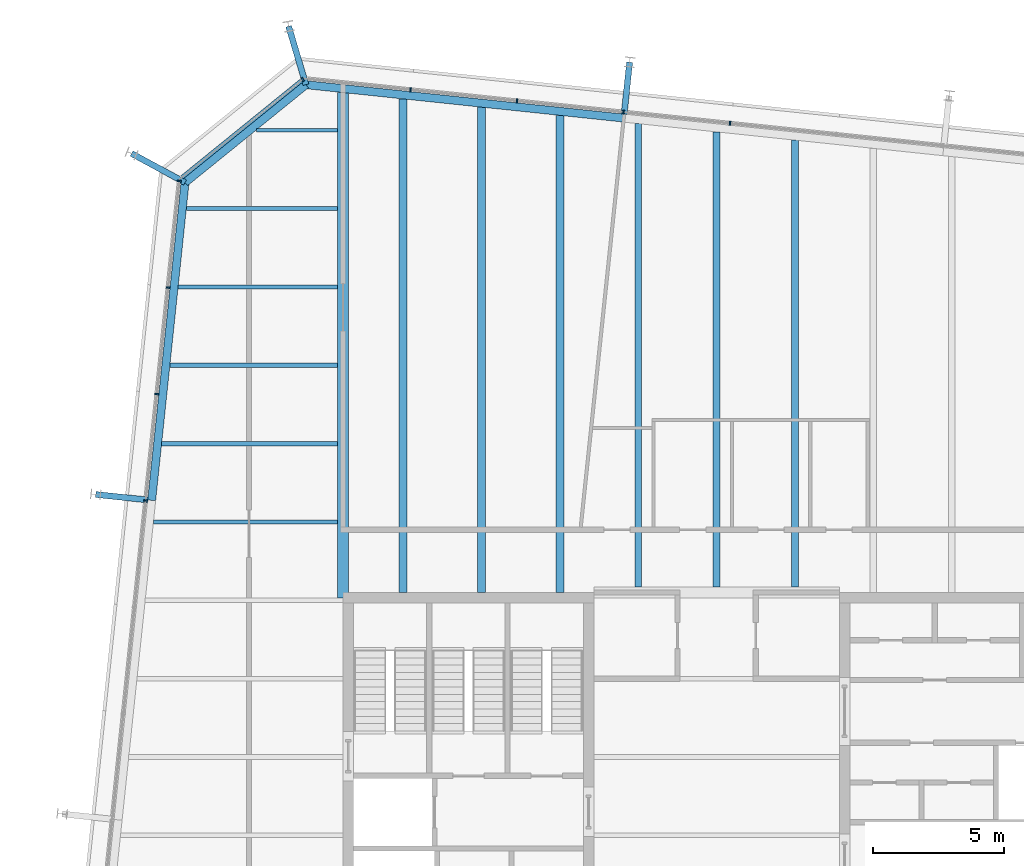
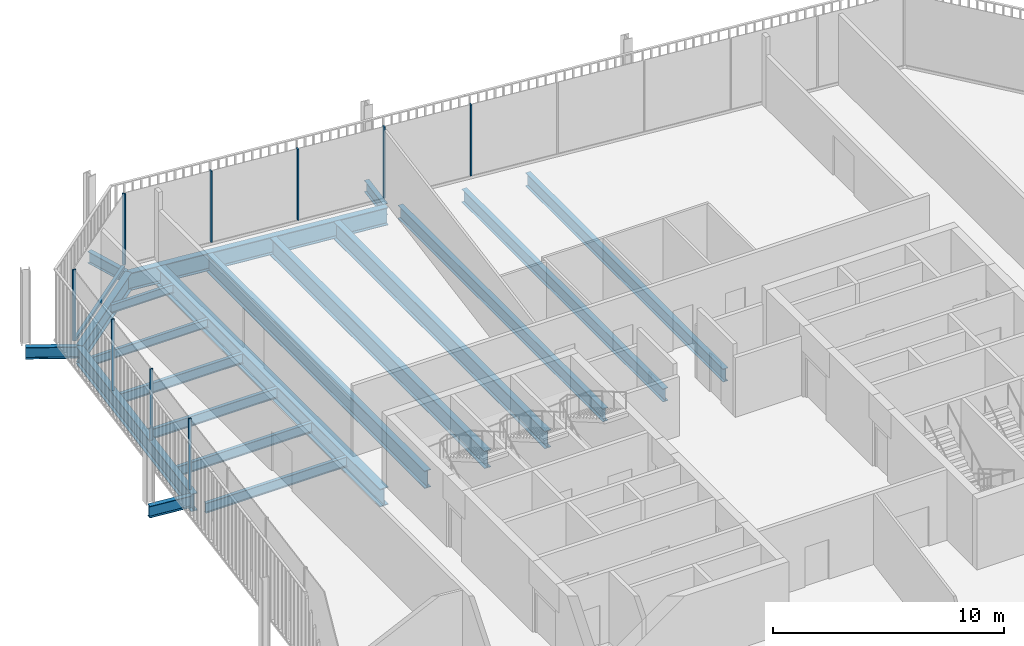
# One storey, part 12 of 20: 20 beams, 10 members, 3 elements without a shape of their own.
"""IFC4 building model written with IfcOpenShell, lengths in metres."""

import ifcopenshell
import ifcopenshell.guid

model = None  # the IFC model being written
_history = None  # IfcOwnerHistory: only IFC2X3 demands one
_inside = {}  # id of a spatial element -> (the spatial element, [elements in it])
_under = {}  # id of a project, library or spatial element -> (it, [spatial elements below it])
_declared = {}  # id of a project -> (the project, [libraries it declares])
_typed = {}  # id of a type object -> (the type object, [elements of that type])
_made_of = {}  # id of a material, layer set ... -> (it, [elements and type objects made of it])


def new_model(schema):
    """Start an empty IFC model of exactly this schema.

    Asked for "IFC4X3", IfcOpenShell would pick the latest addendum, in which some entities
    have other attributes; the version numbers below select the first issue.
    IFC2X3 requires an IfcOwnerHistory on every rooted entity: one is made here for all.
    """
    global model, _history
    if schema == "IFC4X3":
        model = ifcopenshell.file(schema_version=(4, 3, 0, 0))
    else:
        model = ifcopenshell.file(schema=schema)
    _inside.clear()
    _under.clear()
    _declared.clear()
    _typed.clear()
    _made_of.clear()
    _history = None
    if model.schema == "IFC2X3":
        org = make("IfcOrganization", Name="unknown")
        user = make(
            "IfcPersonAndOrganization",
            ThePerson=make("IfcPerson", FamilyName="unknown"),
            TheOrganization=org,
        )
        app = make(
            "IfcApplication",
            ApplicationDeveloper=org,
            Version="unknown",
            ApplicationFullName="unknown",
            ApplicationIdentifier="unknown",
        )
        _history = make(
            "IfcOwnerHistory",
            OwningUser=user,
            OwningApplication=app,
            ChangeAction="ADDED",
            CreationDate=0,
        )
    return model


def make(cls, **values):
    """One entity of the class cls with the attributes given. An attribute that is None is left unset."""
    return model.create_entity(
        cls, **{name: value for name, value in values.items() if value is not None}
    )


def rooted(cls, **values):
    """An entity with a GlobalId (a new one), such as an element, a storey or a relation."""
    return make(cls, GlobalId=ifcopenshell.guid.new(), OwnerHistory=_history, **values)


def si_unit(unit_type, name, prefix=None):
    """IfcSIUnit, for example si_unit("LENGTHUNIT", "METRE", prefix="MILLI")."""
    return make("IfcSIUnit", UnitType=unit_type, Prefix=prefix, Name=name)


def assignment(units):
    """IfcUnitAssignment: the units of a project."""
    return None if units is None else make("IfcUnitAssignment", Units=units)


def point(xyz):
    """IfcCartesianPoint."""
    return None if xyz is None else make("IfcCartesianPoint", Coordinates=xyz)


def direction(xyz):
    """IfcDirection."""
    return None if xyz is None else make("IfcDirection", DirectionRatios=xyz)


def frame(location, z_axis=None, x_axis=None):
    """IfcAxis2Placement3D, a coordinate frame: its origin and axes. An axis left out is left unset."""
    return make(
        "IfcAxis2Placement3D",
        Location=point(location),
        Axis=direction(z_axis),
        RefDirection=direction(x_axis),
    )


def frame_2d(location, x_axis=None):
    """IfcAxis2Placement2D, a coordinate frame in the plane: its origin and x axis."""
    return make(
        "IfcAxis2Placement2D", Location=point(location), RefDirection=direction(x_axis)
    )


def origin():
    """The frame at (0, 0, 0) with its axes left unset."""
    return frame((0.0, 0.0, 0.0))


def origin_2d():
    """The frame at (0, 0) in the plane with its x axis left unset."""
    return frame_2d((0.0, 0.0))


def place(relative_to, where):
    """IfcLocalPlacement: puts the frame where relative to a parent placement (None: the world)."""
    return make(
        "IfcLocalPlacement", PlacementRelTo=relative_to, RelativePlacement=where
    )


def context(
    kind, dimensions, precision=None, world=None, true_north=None, identifier=None
):
    """IfcGeometricRepresentationContext, for example the 3D "Model" context."""
    return make(
        "IfcGeometricRepresentationContext",
        ContextIdentifier=identifier,
        ContextType=kind,
        CoordinateSpaceDimension=dimensions,
        Precision=precision,
        WorldCoordinateSystem=world,
        TrueNorth=true_north,
    )


def subcontext(parent, identifier, kind, view, scale=None):
    """IfcGeometricRepresentationSubContext, for example "Body" below "Model"."""
    return make(
        "IfcGeometricRepresentationSubContext",
        ContextIdentifier=identifier,
        ContextType=kind,
        ParentContext=parent,
        TargetScale=scale,
        TargetView=view,
    )


def project(units=None, contexts=None):
    """IfcProject with its units and contexts."""
    return rooted(
        "IfcProject",
        Name="project",
        RepresentationContexts=contexts,
        UnitsInContext=assignment(units),
    )


def spatial(cls, under=None, at=None, **own):
    """A site, building, storey or space (cls), placed at a placement, below another one or the project."""
    s = rooted(cls, ObjectPlacement=at, **own)
    if under is not None:
        _under.setdefault(under.id(), (under, []))[1].append(s)
    return s


def profile(cls, at=None, kind="AREA", **sizes):
    """A parametric profile (cls). Its sizes go by their IFC names, for example OverallWidth=200.0."""
    return make(cls, ProfileType=kind, Position=at, **sizes)


def rectangle(**sizes):
    """IfcRectangleProfileDef."""
    return profile("IfcRectangleProfileDef", **sizes)


def i_section(**sizes):
    """IfcIShapeProfileDef."""
    return profile("IfcIShapeProfileDef", **sizes)


def extrude(swept, where, along, depth):
    """IfcExtrudedAreaSolid: the profile swept, set in the frame where, extruded along a direction by depth."""
    return make(
        "IfcExtrudedAreaSolid",
        SweptArea=swept,
        Position=where,
        ExtrudedDirection=direction(along),
        Depth=depth,
    )


def shape(context_of_items, identifier, shape_type, items):
    """IfcShapeRepresentation: the items that make up one representation, for example the "Body"."""
    return make(
        "IfcShapeRepresentation",
        ContextOfItems=context_of_items,
        RepresentationIdentifier=identifier,
        RepresentationType=shape_type,
        Items=items,
    )


def material(Name=None, Category=None):
    """IfcMaterial."""
    return make("IfcMaterial", Name=Name, Category=Category)


def layer(
    of_material, thickness, ventilated=None, Name=None, Category=None, Priority=None
):
    """IfcMaterialLayer: one layer of a wall or slab, of a material (None: an air gap)."""
    return make(
        "IfcMaterialLayer",
        Material=of_material,
        LayerThickness=thickness,
        IsVentilated=ventilated,
        Name=Name,
        Category=Category,
        Priority=Priority,
    )


def layer_set(layers, Name=None):
    """IfcMaterialLayerSet."""
    return make("IfcMaterialLayerSet", MaterialLayers=layers, LayerSetName=Name)


def material_profile(
    of_material, cross_section, Name=None, Category=None, Priority=None
):
    """IfcMaterialProfile: a cross section and its material."""
    return make(
        "IfcMaterialProfile",
        Name=Name,
        Material=of_material,
        Profile=cross_section,
        Priority=Priority,
        Category=Category,
    )


def profile_set(profiles, Name=None, composite=None):
    """IfcMaterialProfileSet."""
    return make(
        "IfcMaterialProfileSet",
        Name=Name,
        MaterialProfiles=profiles,
        CompositeProfile=composite,
    )


def made_of(thing, what):
    """Note that an element or type object is made of a material, layer set ...; save() writes the relation."""
    if what is not None:
        _made_of.setdefault(what.id(), (what, []))[1].append(thing)
    return thing


def type_object(cls, material=None, **own):
    """A type object (cls), such as IfcWallType, which elements share."""
    return made_of(rooted(cls, **own), material)


def element(
    cls,
    number,
    at=None,
    inside=None,
    cuts=None,
    type_object=None,
    material=None,
    context=None,
    identifier="Body",
    shape_type=None,
    held_by="IfcProductDefinitionShape",
    body=None,
    shapes=None,
    **own,
):
    """One element of the class cls, such as IfcWall. Its Tag is "e" and its number.

    at: its placement. inside: the storey or other place that contains it. cuts: it is an
    opening in that element (IfcRelVoidsElement). A single representation is given by context,
    identifier, shape_type and body (its items); several are given by shapes. held_by: the class
    of the entity that holds the representations. save() writes the other relations.
    """
    e = rooted(cls, Tag="e%d" % number, ObjectPlacement=at, **own)
    if body is not None:
        shapes = [shape(context, identifier, shape_type, body)]
    if shapes is not None:
        e.Representation = make(held_by, Representations=shapes)
    if inside is not None:
        _inside.setdefault(inside.id(), (inside, []))[1].append(e)
    if cuts is not None:
        rooted(
            "IfcRelVoidsElement", RelatingBuildingElement=cuts, RelatedOpeningElement=e
        )
    if type_object is not None:
        _typed.setdefault(type_object.id(), (type_object, []))[1].append(e)
    return made_of(e, material)


def aggregate(whole, parts):
    """IfcRelAggregates: a whole, such as a stair, and the parts it consists of."""
    return rooted("IfcRelAggregates", RelatingObject=whole, RelatedObjects=parts)


def save(model, path):
    """Write the relations noted so far, then the file.

    IfcRelAggregates (storeys below a building ...), IfcRelContainedInSpatialStructure (elements
    in a storey), IfcRelDefinesByType, IfcRelAssociatesMaterial and IfcRelDeclares: one each for
    every whole, place, type object, material and project.
    """
    for whole, parts in _under.values():
        aggregate(whole, parts)
    for where, things in _inside.values():
        rooted(
            "IfcRelContainedInSpatialStructure",
            RelatedElements=things,
            RelatingStructure=where,
        )
    for kind, things in _typed.values():
        rooted("IfcRelDefinesByType", RelatedObjects=things, RelatingType=kind)
    for what, things in _made_of.values():
        rooted("IfcRelAssociatesMaterial", RelatedObjects=things, RelatingMaterial=what)
    for by, libraries in _declared.values():
        rooted("IfcRelDeclares", RelatingContext=by, RelatedDefinitions=libraries)
    model.write(path)


model = new_model("IFC4")

# Units and contexts
model_context = context("Model", 3, precision=1e-05, world=origin(), true_north=direction((0.0, 1.0)))
body_context = subcontext(model_context, "Body", "Model", "MODEL_VIEW")
ifc_project = project(units=[si_unit("LENGTHUNIT", "METRE"), si_unit("AREAUNIT", "SQUARE_METRE"), si_unit("VOLUMEUNIT", "CUBIC_METRE"), si_unit("PLANEANGLEUNIT", "RADIAN"), si_unit("MASSUNIT", "GRAM", prefix="KILO")], contexts=[model_context])

# Site, building, storey
site_placement = place(None, origin())
site = spatial("IfcSite", under=ifc_project, at=site_placement, CompositionType="ELEMENT")
building_placement = place(site_placement, origin())
building = spatial("IfcBuilding", under=site, at=building_placement, Name="Millrace Tower", CompositionType="ELEMENT")
storey_placement = place(building_placement, frame((0.0, 0.0, 322.60009765625)))
storey = spatial("IfcBuildingStorey", under=building, at=storey_placement, Name="L74", CompositionType="ELEMENT", Elevation=322.60009765625)

# Curtain wall, members
ifc_material_1 = material(Name="Aluminium and glass", Category="aluminium")
ifc_layer = layer(ifc_material_1, 0.14990234375)
ifc_layer_set = layer_set([ifc_layer], Name="Aluminium and glass")
curtain_wall_type = type_object("IfcCurtainWallType", Name="CW-1 office vision curtain wall", PredefinedType="NOTDEFINED", material=ifc_layer_set)
placement = place(storey_placement, origin())
curtain_wall_1 = element("IfcCurtainWall", 1, at=placement, inside=storey, type_object=curtain_wall_type, Name="Curtain wall E-F06 L74", PredefinedType="NOTDEFINED")
ifc_material_2 = material(Name="Aluminium", Category="aluminium")
ifc_material_profile_1 = material_profile(ifc_material_2, rectangle(XDim=0.06494140625, YDim=0.14990234375, at=origin_2d()))
ifc_profile_set_1 = profile_set([ifc_material_profile_1], Name="Aluminium")
member_type_1 = type_object("IfcMemberType", Name="CW-1 office vision curtain wall mullion", PredefinedType="MULLION", material=ifc_profile_set_1)
member_1_placement = place(storey_placement, frame((0.514892578125, 27.267578125, 0.139892578125), z_axis=(0.0, 0.0, 1.0), x_axis=(-0.994521896217, 0.104528455196, 0.0)))
member_1 = element("IfcMember", 2, at=member_1_placement, type_object=member_type_1, Name="CW1 mullion E-F06.6", PredefinedType="MULLION", context=body_context, shape_type="SweptSolid", body=[
    extrude(rectangle(XDim=0.06494140625, YDim=0.14990234375, at=origin_2d()), origin(), (0.0, 0.0, 1.0), 3.760009765625),
])
member_2_placement = place(storey_placement, frame((-3.562744140625, 27.6962890625, 0.139892578125), z_axis=(0.0, 0.0, 1.0), x_axis=(-0.994521896217, 0.104528455196, 0.0)))
member_2 = element("IfcMember", 3, at=member_2_placement, type_object=member_type_1, Name="CW1 mullion E-F06.7", PredefinedType="MULLION", context=body_context, shape_type="SweptSolid", body=[
    extrude(rectangle(XDim=0.06494140625, YDim=0.14990234375, at=origin_2d()), origin(), (0.0, 0.0, 1.0), 3.760009765625),
])
member_3_placement = place(storey_placement, frame((-7.640380859375, 28.124755859375, 0.139892578125), z_axis=(0.0, 0.0, 1.0), x_axis=(-0.994521896217, 0.104528455196, 0.0)))
member_3 = element("IfcMember", 4, at=member_3_placement, type_object=member_type_1, Name="CW1 mullion E-F06.8", PredefinedType="MULLION", context=body_context, shape_type="SweptSolid", body=[
    extrude(rectangle(XDim=0.06494140625, YDim=0.14990234375, at=origin_2d()), origin(), (0.0, 0.0, 1.0), 3.760009765625),
])
member_4_placement = place(storey_placement, frame((-11.7177734375, 28.55322265625, 0.139892578125), z_axis=(0.0, 0.0, 1.0), x_axis=(-0.994521896217, 0.104528455196, 0.0)))
member_4 = element("IfcMember", 5, at=member_4_placement, type_object=member_type_1, Name="CW1 mullion E-F06.9", PredefinedType="MULLION", context=body_context, shape_type="SweptSolid", body=[
    extrude(rectangle(XDim=0.06494140625, YDim=0.14990234375, at=origin_2d()), origin(), (0.0, 0.0, 1.0), 3.760009765625),
])
aggregate(curtain_wall_1, [member_1, member_2, member_3, member_4])

# Curtain wall, member
curtain_wall_2 = element("IfcCurtainWall", 6, at=placement, inside=storey, type_object=curtain_wall_type, Name="Curtain wall E-F07 L74", PredefinedType="NOTDEFINED")
member_5_placement = place(storey_placement, frame((-15.84326171875, 28.941650390625, 0.139892578125), z_axis=(0.0, 0.0, 1.0), x_axis=(-0.777146052237, -0.629320278945, 0.0)))
member_5 = element("IfcMember", 7, at=member_5_placement, type_object=member_type_1, Name="CW1 mullion E-F07.1", PredefinedType="MULLION", context=body_context, shape_type="SweptSolid", body=[
    extrude(rectangle(XDim=0.06494140625, YDim=0.14990234375, at=origin_2d()), origin(), (0.0, 0.0, 1.0), 3.760009765625),
])

# Curtain wall, members
curtain_wall_3 = element("IfcCurtainWall", 8, at=placement, inside=storey, type_object=curtain_wall_type, Name="Curtain wall E-F08 L74", PredefinedType="NOTDEFINED")
member_6_placement = place(storey_placement, frame((-20.57470703125, 25.052490234375, 0.139892578125), z_axis=(0.0, 0.0, 1.0), x_axis=(-0.104528455196, -0.994521896217, 0.0)))
member_6 = element("IfcMember", 9, at=member_6_placement, type_object=member_type_1, Name="CW1 mullion E-F08.1", PredefinedType="MULLION", context=body_context, shape_type="SweptSolid", body=[
    extrude(rectangle(XDim=0.06494140625, YDim=0.14990234375, at=origin_2d()), origin(), (0.0, 0.0, 1.0), 3.760009765625),
])
member_7_placement = place(storey_placement, frame((-21.00341796875, 20.974853515625, 0.139892578125), z_axis=(0.0, 0.0, 1.0), x_axis=(-0.104528455196, -0.994521896217, 0.0)))
member_7 = element("IfcMember", 10, at=member_7_placement, type_object=member_type_1, Name="CW1 mullion E-F08.2", PredefinedType="MULLION", context=body_context, shape_type="SweptSolid", body=[
    extrude(rectangle(XDim=0.06494140625, YDim=0.14990234375, at=origin_2d()), origin(), (0.0, 0.0, 1.0), 3.760009765625),
])
member_8_placement = place(storey_placement, frame((-21.431884765625, 16.8974609375, 0.139892578125), z_axis=(0.0, 0.0, 1.0), x_axis=(-0.104528455196, -0.994521896217, 0.0)))
member_8 = element("IfcMember", 11, at=member_8_placement, type_object=member_type_1, Name="CW1 mullion E-F08.3", PredefinedType="MULLION", context=body_context, shape_type="SweptSolid", body=[
    extrude(rectangle(XDim=0.06494140625, YDim=0.14990234375, at=origin_2d()), origin(), (0.0, 0.0, 1.0), 3.760009765625),
])
member_9_placement = place(storey_placement, frame((-21.860595703125, 12.81982421875, 0.139892578125), z_axis=(0.0, 0.0, 1.0), x_axis=(-0.104528455196, -0.994521896217, 0.0)))
member_9 = element("IfcMember", 12, at=member_9_placement, type_object=member_type_1, Name="CW1 mullion E-F08.4", PredefinedType="MULLION", context=body_context, shape_type="SweptSolid", body=[
    extrude(rectangle(XDim=0.06494140625, YDim=0.14990234375, at=origin_2d()), origin(), (0.0, 0.0, 1.0), 3.760009765625),
])
aggregate(curtain_wall_3, [member_6, member_7, member_8, member_9])

# Member
ifc_material_3 = material(Name="Aluminium", Category="aluminium")
ifc_material_profile_2 = material_profile(ifc_material_3, rectangle(XDim=0.14990234375, YDim=0.139892578125, at=origin_2d()))
ifc_profile_set_2 = profile_set([ifc_material_profile_2], Name="Aluminium")
member_type_2 = type_object("IfcMemberType", Name="CW-1 office vision curtain wall transom", PredefinedType="USERDEFINED", material=ifc_profile_set_2)
member_10_placement = place(storey_placement, frame((-15.895751953125, 28.899169921875, 0.06982421875), z_axis=(-0.777165591695, -0.629296148951, 0.0), x_axis=(0.629296148951, -0.777165591695, 0.0)))
member_10 = element("IfcMember", 13, at=member_10_placement, type_object=member_type_2, Name="CW1 transom E-F07.1", ObjectType="TRANSOM", PredefinedType="USERDEFINED", context=body_context, shape_type="SweptSolid", body=[
    extrude(rectangle(XDim=0.14990234375, YDim=0.139892578125, at=origin_2d()), origin(), (0.0, 0.0, 1.0), 5.881103515625),
])

aggregate(curtain_wall_2, [member_5, member_10])

# Beams
ifc_material_4 = material(Name="Steel ASTM A992 Grade 50", Category="steel")
ifc_material_profile_3 = material_profile(ifc_material_4, i_section(OverallWidth=0.15234375, OverallDepth=0.449462890625, WebThickness=0.007568359375, FlangeThickness=0.0107421875, FilletRadius=0.01025390625, at=origin_2d()))
ifc_profile_set_3 = profile_set([ifc_material_profile_3], Name="Steel ASTM A992 Grade 50")
beam_type_1 = type_object("IfcBeamType", Name="Floor beam W18x35", PredefinedType="JOIST", material=ifc_profile_set_3)
beam_1_placement = place(storey_placement, frame((-20.301025390625, 24.0, -0.384765625), z_axis=(1.0, 0.0, 0.0), x_axis=(0.0, 1.0, 0.0)))
element("IfcBeam", 14, at=beam_1_placement, inside=storey, type_object=beam_type_1, Name="BM-E-L74-S1-S033", PredefinedType="JOIST", context=body_context, shape_type="SweptSolid", body=[
    extrude(i_section(OverallWidth=0.15234375, OverallDepth=0.449462890625, WebThickness=0.007568359375, FlangeThickness=0.0107421875, FilletRadius=0.01025390625, at=origin_2d()), origin(), (0.0, 0.0, 1.0), 5.79150390625),
])
beam_2_placement = place(storey_placement, frame((-17.609619140625, 27.0, -0.384765625), z_axis=(1.0, 0.0, 0.0), x_axis=(0.0, 1.0, 0.0)))
element("IfcBeam", 15, at=beam_2_placement, inside=storey, type_object=beam_type_1, Name="BM-E-L74-S1-S035", PredefinedType="JOIST", context=body_context, shape_type="SweptSolid", body=[
    extrude(i_section(OverallWidth=0.15234375, OverallDepth=0.449462890625, WebThickness=0.007568359375, FlangeThickness=0.0107421875, FilletRadius=0.01025390625, at=origin_2d()), origin(), (0.0, 0.0, 1.0), 3.10009765625),
])
ifc_material_5 = material(Name="Steel ASTM A992 Grade 50", Category="steel")
ifc_material_profile_4 = material_profile(ifc_material_5, i_section(OverallWidth=0.1650390625, OverallDepth=0.52587890625, WebThickness=0.0087890625, FlangeThickness=0.011474609375, FilletRadius=0.0126953125, at=origin_2d()))
ifc_profile_set_4 = profile_set([ifc_material_profile_4], Name="Steel ASTM A992 Grade 50")
beam_type_2 = type_object("IfcBeamType", Name="Floor beam W21x44", PredefinedType="JOIST", material=ifc_profile_set_4)
beam_3_placement = place(storey_placement, frame((-21.562255859375, 12.0, -0.423095703125), z_axis=(1.0, 0.0, 0.0), x_axis=(0.0, 1.0, 0.0)))
element("IfcBeam", 16, at=beam_3_placement, inside=storey, type_object=beam_type_2, Name="BM-E-L74-S1-S025", PredefinedType="JOIST", context=body_context, shape_type="SweptSolid", body=[
    extrude(i_section(OverallWidth=0.1650390625, OverallDepth=0.52587890625, WebThickness=0.0087890625, FlangeThickness=0.011474609375, FilletRadius=0.0126953125, at=origin_2d()), origin(), (0.0, 0.0, 1.0), 7.052734375),
])
beam_4_placement = place(storey_placement, frame((-21.246826171875, 15.0, -0.423095703125), z_axis=(1.0, 0.0, 0.0), x_axis=(0.0, 1.0, 0.0)))
element("IfcBeam", 17, at=beam_4_placement, inside=storey, type_object=beam_type_2, Name="BM-E-L74-S1-S027", PredefinedType="JOIST", context=body_context, shape_type="SweptSolid", body=[
    extrude(i_section(OverallWidth=0.1650390625, OverallDepth=0.52587890625, WebThickness=0.0087890625, FlangeThickness=0.011474609375, FilletRadius=0.0126953125, at=origin_2d()), origin(), (0.0, 0.0, 1.0), 6.7373046875),
])
beam_5_placement = place(storey_placement, frame((-20.931640625, 18.0, -0.423095703125), z_axis=(1.0, 0.0, 0.0), x_axis=(0.0, 1.0, 0.0)))
element("IfcBeam", 18, at=beam_5_placement, inside=storey, type_object=beam_type_2, Name="BM-E-L74-S1-S029", PredefinedType="JOIST", context=body_context, shape_type="SweptSolid", body=[
    extrude(i_section(OverallWidth=0.1650390625, OverallDepth=0.52587890625, WebThickness=0.0087890625, FlangeThickness=0.011474609375, FilletRadius=0.0126953125, at=origin_2d()), origin(), (0.0, 0.0, 1.0), 6.422119140625),
])
beam_6_placement = place(storey_placement, frame((-20.6162109375, 21.0, -0.423095703125), z_axis=(1.0, 0.0, 0.0), x_axis=(0.0, 1.0, 0.0)))
element("IfcBeam", 19, at=beam_6_placement, inside=storey, type_object=beam_type_2, Name="BM-E-L74-S1-S031", PredefinedType="JOIST", context=body_context, shape_type="SweptSolid", body=[
    extrude(i_section(OverallWidth=0.1650390625, OverallDepth=0.52587890625, WebThickness=0.0087890625, FlangeThickness=0.011474609375, FilletRadius=0.0126953125, at=origin_2d()), origin(), (0.0, 0.0, 1.0), 6.106689453125),
])
ifc_material_6 = material(Name="Steel ASTM A992 Grade 50", Category="steel")
ifc_material_profile_5 = material_profile(ifc_material_6, i_section(OverallWidth=0.256591796875, OverallDepth=0.693359375, WebThickness=0.014404296875, FlangeThickness=0.023681640625, FilletRadius=0.01513671875, at=origin_2d()))
ifc_profile_set_5 = profile_set([ifc_material_profile_5], Name="Steel ASTM A992 Grade 50")
beam_type_3 = type_object("IfcBeamType", Name="Floor beam W27x114", PredefinedType="JOIST", material=ifc_profile_set_5)
beam_7_placement = place(storey_placement, frame((-3.0, 9.509521484375, -0.5068359375), z_axis=(0.0, 1.0, 0.0), x_axis=(-1.0, 0.0, 0.0)))
element("IfcBeam", 20, at=beam_7_placement, inside=storey, type_object=beam_type_3, Name="BM-E-L74-S1-S042", PredefinedType="JOIST", context=body_context, shape_type="SweptSolid", body=[
    extrude(i_section(OverallWidth=0.256591796875, OverallDepth=0.693359375, WebThickness=0.014404296875, FlangeThickness=0.023681640625, FilletRadius=0.01513671875, at=origin_2d()), origin(), (0.0, 0.0, 1.0), 17.7431640625),
])
beam_8_placement = place(storey_placement, frame((0.0, 9.509521484375, -0.5068359375), z_axis=(0.0, 1.0, 0.0), x_axis=(-1.0, 0.0, 0.0)))
element("IfcBeam", 21, at=beam_8_placement, inside=storey, type_object=beam_type_3, Name="BM-E-L74-S1-S044", PredefinedType="JOIST", context=body_context, shape_type="SweptSolid", body=[
    extrude(i_section(OverallWidth=0.256591796875, OverallDepth=0.693359375, WebThickness=0.014404296875, FlangeThickness=0.023681640625, FilletRadius=0.01513671875, at=origin_2d()), origin(), (0.0, 0.0, 1.0), 17.427734375),
])
beam_9_placement = place(storey_placement, frame((3.0, 9.509521484375, -0.5068359375), z_axis=(0.0, 1.0, 0.0), x_axis=(-1.0, 0.0, 0.0)))
element("IfcBeam", 22, at=beam_9_placement, inside=storey, type_object=beam_type_3, Name="BM-E-L74-S1-S046", PredefinedType="JOIST", context=body_context, shape_type="SweptSolid", body=[
    extrude(i_section(OverallWidth=0.256591796875, OverallDepth=0.693359375, WebThickness=0.014404296875, FlangeThickness=0.023681640625, FilletRadius=0.01513671875, at=origin_2d()), origin(), (0.0, 0.0, 1.0), 17.112548828125),
])
ifc_material_7 = material(Name="Steel ASTM A992 Grade 50", Category="steel")
ifc_material_profile_6 = material_profile(ifc_material_7, i_section(OverallWidth=0.307373046875, OverallDepth=0.927001953125, WebThickness=0.01953125, FlangeThickness=0.031982421875, FilletRadius=0.01904296875, at=origin_2d()))
ifc_profile_set_6 = profile_set([ifc_material_profile_6], Name="Steel ASTM A992 Grade 50")
beam_type_4 = type_object("IfcBeamType", Name="Floor beam W36x194", PredefinedType="JOIST", material=ifc_profile_set_6)
beam_10_placement = place(storey_placement, frame((-12.0, 9.300048828125, -0.62353515625), z_axis=(0.0, 1.0, 0.0), x_axis=(-1.0, 0.0, 0.0)))
element("IfcBeam", 23, at=beam_10_placement, inside=storey, type_object=beam_type_4, Name="BM-E-L74-S1-S036", PredefinedType="JOIST", context=body_context, shape_type="SweptSolid", body=[
    extrude(i_section(OverallWidth=0.307373046875, OverallDepth=0.927001953125, WebThickness=0.01953125, FlangeThickness=0.031982421875, FilletRadius=0.01904296875, at=origin_2d()), origin(), (0.0, 0.0, 1.0), 18.8984375),
])
beam_11_placement = place(storey_placement, frame((-9.0, 9.300048828125, -0.62353515625), z_axis=(0.0, 1.0, 0.0), x_axis=(-1.0, 0.0, 0.0)))
element("IfcBeam", 24, at=beam_11_placement, inside=storey, type_object=beam_type_4, Name="BM-E-L74-S1-S038", PredefinedType="JOIST", context=body_context, shape_type="SweptSolid", body=[
    extrude(i_section(OverallWidth=0.307373046875, OverallDepth=0.927001953125, WebThickness=0.01953125, FlangeThickness=0.031982421875, FilletRadius=0.01904296875, at=origin_2d()), origin(), (0.0, 0.0, 1.0), 18.583251953125),
])
beam_12_placement = place(storey_placement, frame((-6.0, 9.300048828125, -0.62353515625), z_axis=(0.0, 1.0, 0.0), x_axis=(-1.0, 0.0, 0.0)))
element("IfcBeam", 25, at=beam_12_placement, inside=storey, type_object=beam_type_4, Name="BM-E-L74-S1-S040", PredefinedType="JOIST", context=body_context, shape_type="SweptSolid", body=[
    extrude(i_section(OverallWidth=0.307373046875, OverallDepth=0.927001953125, WebThickness=0.01953125, FlangeThickness=0.031982421875, FilletRadius=0.01904296875, at=origin_2d()), origin(), (0.0, 0.0, 1.0), 18.267822265625),
])
ifc_material_8 = material(Name="Steel ASTM A992 Grade 50", Category="steel")
ifc_material_profile_7 = material_profile(ifc_material_8, i_section(OverallWidth=0.424072265625, OverallDepth=0.947509765625, WebThickness=0.02392578125, FlangeThickness=0.042724609375, FilletRadius=0.024169921875, at=origin_2d()))
ifc_profile_set_7 = profile_set([ifc_material_profile_7], Name="Steel ASTM A992 Grade 50")
beam_type_5 = type_object("IfcBeamType", Name="Girder medium span W36x302", PredefinedType="BEAM", material=ifc_profile_set_7)
beam_13_placement = place(storey_placement, frame((-14.300048828125, 9.083984375, -0.6337890625), z_axis=(0.0, 1.0, 0.0), x_axis=(-1.0, 0.0, 0.0)))
element("IfcBeam", 26, at=beam_13_placement, inside=storey, type_object=beam_type_5, Name="BM-E-L74-S1-G054", PredefinedType="BEAM", context=body_context, shape_type="SweptSolid", body=[
    extrude(i_section(OverallWidth=0.424072265625, OverallDepth=0.947509765625, WebThickness=0.02392578125, FlangeThickness=0.042724609375, FilletRadius=0.024169921875, at=origin_2d()), origin(), (0.0, 0.0, 1.0), 19.356201171875),
])
ifc_material_9 = material(Name="Steel ASTM A992 Grade 50", Category="steel")
ifc_material_profile_8 = material_profile(ifc_material_9, i_section(OverallWidth=0.23046875, OverallDepth=0.6171875, WebThickness=0.01318359375, FlangeThickness=0.022216796875, FilletRadius=0.012939453125, at=origin_2d()))
ifc_profile_set_8 = profile_set([ifc_material_profile_8], Name="Steel ASTM A992 Grade 50")
beam_type_6 = type_object("IfcBeamType", Name="Link beam W24x94", PredefinedType="BEAM", material=ifc_profile_set_8)
beam_14_placement = place(storey_placement, frame((-21.782470703125, 12.84423828125, -0.46875), z_axis=(-0.994512808172, 0.104614886044, 0.0), x_axis=(-0.104614886044, -0.994512808172, 0.0)))
element("IfcBeam", 27, at=beam_14_placement, inside=storey, type_object=beam_type_6, Name="LNK-E-L74-S1-03", PredefinedType="BEAM", context=body_context, shape_type="SweptSolid", body=[
    extrude(i_section(OverallWidth=0.23046875, OverallDepth=0.6171875, WebThickness=0.01318359375, FlangeThickness=0.022216796875, FilletRadius=0.012939453125, at=origin_2d()), origin(), (0.0, 0.0, 1.0), 2.0),
])
for number, where, z_axis, x_axis, name in (
    (28, (-20.3505859375, 24.99755859375, -0.46875), (-0.87881453358, 0.477163510307, 0.0), (-0.477163510307, -0.87881453358, 0.0), "LNK-E-L74-S1-04"),
    (29, (-15.7236328125, 28.744384765625, -0.46875), (-0.284031275065, 0.958815015936, 0.0), (-0.958815015936, -0.284031275065, 0.0), "LNK-E-L74-S1-05"),
):
    element("IfcBeam", number, at=place(storey_placement, frame(where, z_axis=z_axis, x_axis=x_axis)), inside=storey, type_object=beam_type_6, Name=name, PredefinedType="BEAM", context=body_context, shape_type="SweptSolid", body=[
        extrude(i_section(OverallWidth=0.23046875, OverallDepth=0.6171875, WebThickness=0.01318359375, FlangeThickness=0.022216796875, FilletRadius=0.012939453125, at=origin_2d()), origin(), (0.0, 0.0, 1.0), 2.3310546875),
    ])
beam_15_placement = place(storey_placement, frame((-3.538330078125, 27.6181640625, -0.46875), z_axis=(0.104494148666, 0.99452550138, 0.0), x_axis=(-0.99452550138, 0.104494148666, 0.0)))
element("IfcBeam", 30, at=beam_15_placement, inside=storey, type_object=beam_type_6, Name="LNK-E-L74-S1-06", PredefinedType="BEAM", context=body_context, shape_type="SweptSolid", body=[
    extrude(i_section(OverallWidth=0.23046875, OverallDepth=0.6171875, WebThickness=0.01318359375, FlangeThickness=0.022216796875, FilletRadius=0.012939453125, at=origin_2d()), origin(), (0.0, 0.0, 1.0), 2.0),
])
ifc_material_10 = material(Name="Steel ASTM A992 Grade 50", Category="steel")
ifc_material_profile_9 = material_profile(ifc_material_10, i_section(OverallWidth=0.307373046875, OverallDepth=0.927001953125, WebThickness=0.01953125, FlangeThickness=0.031982421875, FilletRadius=0.01904296875, at=origin_2d()))
ifc_profile_set_9 = profile_set([ifc_material_profile_9], Name="Steel ASTM A992 Grade 50")
beam_type_7 = type_object("IfcBeamType", Name="Ring beam medium span W36x194", PredefinedType="SPANDREL", material=ifc_profile_set_9)
for number, where, z_axis, x_axis, name in (
    (31, (-21.629638671875, 12.828369140625, -0.62353515625), (0.104530030035, 0.994521730693, 0.0), (-0.994521730693, 0.104530030035, 0.0), "RNG-E-L74-S1-03"),
    (32, (-15.7236328125, 28.744384765625, -0.62353515625), (0.994521730693, -0.104530030035, 0.0), (0.104530030035, 0.994521730693, 0.0), "RNG-E-L74-S1-05"),
):
    element("IfcBeam", number, at=place(storey_placement, frame(where, z_axis=z_axis, x_axis=x_axis)), inside=storey, type_object=beam_type_7, Name=name, PredefinedType="SPANDREL", context=body_context, shape_type="SweptSolid", body=[
        extrude(i_section(OverallWidth=0.307373046875, OverallDepth=0.927001953125, WebThickness=0.01953125, FlangeThickness=0.031982421875, FilletRadius=0.01904296875, at=origin_2d()), origin(), (0.0, 0.0, 1.0), 12.236328125),
    ])
ifc_material_11 = material(Name="Steel ASTM A992 Grade 50", Category="steel")
ifc_material_profile_10 = material_profile(ifc_material_11, i_section(OverallWidth=0.307373046875, OverallDepth=0.927001953125, WebThickness=0.01953125, FlangeThickness=0.031982421875, FilletRadius=0.01904296875, at=origin_2d()))
ifc_profile_set_10 = profile_set([ifc_material_profile_10], Name="Steel ASTM A992 Grade 50")
beam_type_8 = type_object("IfcBeamType", Name="Ring beam short span W36x194", PredefinedType="SPANDREL", material=ifc_profile_set_10)
beam_16_placement = place(storey_placement, frame((-20.3505859375, 24.99755859375, -0.62353515625), z_axis=(0.777146502883, 0.629319722443, 0.0), x_axis=(-0.629319722443, 0.777146502883, 0.0)))
element("IfcBeam", 33, at=beam_16_placement, inside=storey, type_object=beam_type_8, Name="RNG-E-L74-S1-04", PredefinedType="SPANDREL", context=body_context, shape_type="SweptSolid", body=[
    extrude(i_section(OverallWidth=0.307373046875, OverallDepth=0.927001953125, WebThickness=0.01953125, FlangeThickness=0.031982421875, FilletRadius=0.01904296875, at=origin_2d()), origin(), (0.0, 0.0, 1.0), 5.953857421875),
])

save(model, "model.ifc")
